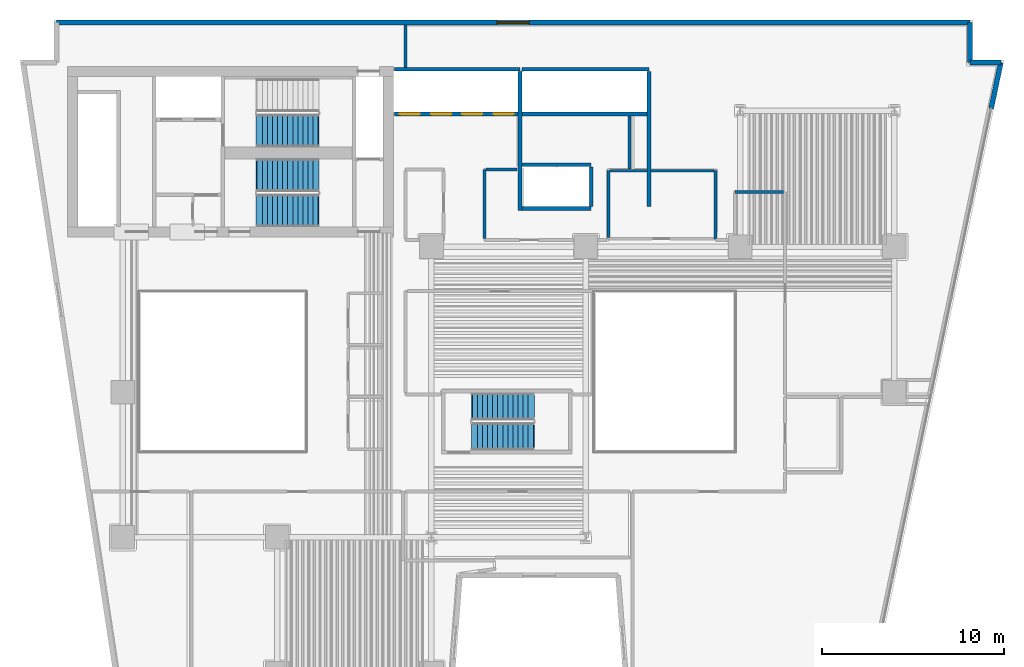
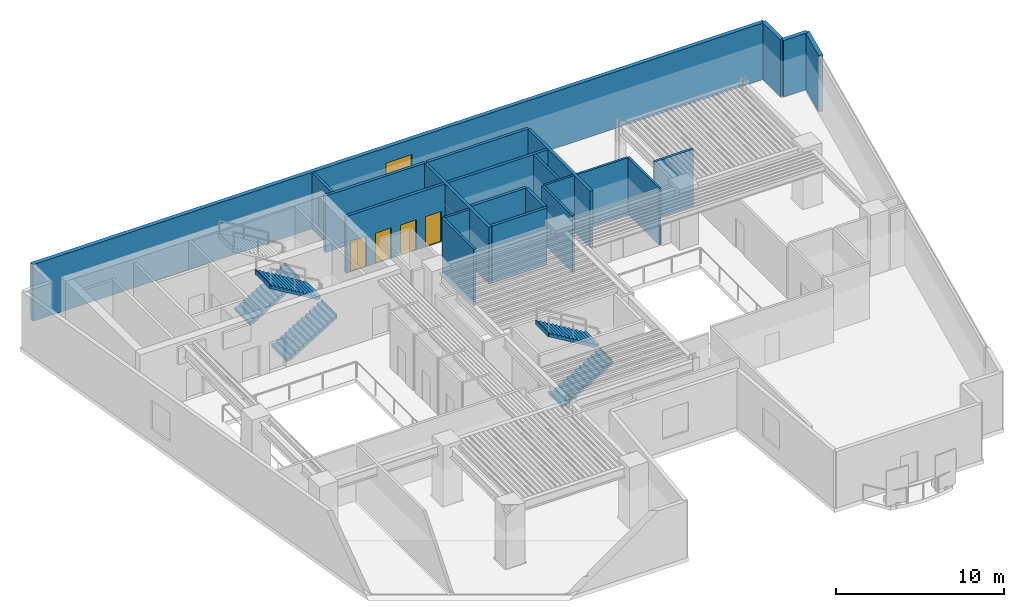
# One storey, part 6 of 12: 22 walls, 5 stair flights, 4 doors, 1 window, 5 openings, 3 elements without a shape of their own.
"""IFC4 building model written with IfcOpenShell, lengths in metres."""

from ifc_helpers import new_model, si_unit, direction, frame, frame_2d, origin, place, context, subcontext, project, spatial, polyline, rectangle, outline, extrude, material, layer, layer_set, type_object, element, fill, aggregate, save


model = new_model("IFC4")

# Units and contexts
model_context = context("Model", 3, precision=1e-05, world=origin(), true_north=direction((0.0, 1.0)))
body_context = subcontext(model_context, "Body", "Model", "MODEL_VIEW")
ifc_project = project(units=[si_unit("LENGTHUNIT", "METRE"), si_unit("AREAUNIT", "SQUARE_METRE"), si_unit("VOLUMEUNIT", "CUBIC_METRE"), si_unit("PLANEANGLEUNIT", "RADIAN"), si_unit("MASSUNIT", "GRAM", prefix="KILO")], contexts=[model_context])

# Site, building, storey
site_placement = place(None, origin())
site = spatial("IfcSite", under=ifc_project, at=site_placement, CompositionType="ELEMENT")
building_placement = place(site_placement, origin())
building = spatial("IfcBuilding", under=site, at=building_placement, Name="Caeloran Harvest Quay", CompositionType="ELEMENT")
storey_placement = place(building_placement, frame((0.0, 0.0, 93.0)))
storey = spatial("IfcBuildingStorey", under=building, at=storey_placement, Name="L21", CompositionType="ELEMENT", Elevation=93.0)

# Wall, opening, window
ifc_material_1 = material(Name="Precast concrete C50/60", Category="concrete")
ifc_layer_1 = layer(ifc_material_1, 0.280029296875, Name="Precast concrete C50/60")
ifc_layer_set_1 = layer_set([ifc_layer_1], Name="Precast concrete C50/60")
wall_type_1 = type_object("IfcWallType", Name="ENV-WALL-EW-280", PredefinedType="STANDARD", material=ifc_layer_set_1)
wall_1_placement = place(storey_placement, frame((4.840087890625, 43.360107421875, 0.0), z_axis=(0.0, 0.0, 1.0), x_axis=(1.0, 0.0, 0.0)))
wall_1 = element("IfcWall", 1, at=wall_1_placement, inside=storey, type_object=wall_type_1, Name="L21 Exterior Precast Concrete Facade Wall 6", PredefinedType="STANDARD", context=body_context, shape_type="SweptSolid", body=[
    extrude(rectangle(XDim=50.31982421875, YDim=0.280029296875, at=frame_2d((25.159912109375, 0.0))), origin(), (0.0, 0.0, 1.0), 4.114990234375),
])
opening_1_placement = place(wall_1_placement, frame((24.260009765625, 0.0, 0.89990234375)))
opening_1 = element("IfcOpeningElement", 2, at=opening_1_placement, cuts=wall_1, Name="Opening W-01", PredefinedType="OPENING", context=body_context, shape_type="SweptSolid", body=[
    extrude(rectangle(XDim=1.800048828125, YDim=2.10009765625, at=frame_2d((0.89990234375, 1.050048828125))), frame((0.0, 0.14990234375, 0.0), z_axis=(0.0, -1.0, 0.0), x_axis=(1.0, 0.0, 0.0)), (0.0, 0.0, 1.0), 0.300048828125),
])
ifc_material_2 = material(Name="Aluminium-Framed Low-E Laminated Glass", Category="aluminium")
window_type = type_object("IfcWindowType", Name="WIN-W-01", PartitioningType="SINGLE_PANEL", PredefinedType="WINDOW", material=ifc_material_2)
window_placement = place(opening_1_placement, origin())
window = element("IfcWindow", 3, at=window_placement, inside=storey, type_object=window_type, Name="L21 Facade Punched Window W-01", OverallHeight=2.10009765625, OverallWidth=1.800048828125, PartitioningType="SINGLE_PANEL", PredefinedType="WINDOW", context=body_context, shape_type="SweptSolid", body=[
    extrude(rectangle(XDim=1.800048828125, YDim=2.10009765625, at=frame_2d((0.89990234375, 1.050048828125))), frame((0.0, 0.030029296875, 0.0), z_axis=(0.0, -1.0, 0.0), x_axis=(1.0, 0.0, 0.0)), (0.0, 0.0, 1.0), 0.06005859375),
])
fill(opening_1, window)

# Walls
wall_2_placement = place(storey_placement, frame((55.159912109375, 43.360107421875, 0.0), z_axis=(0.0, 0.0, 1.0), x_axis=(0.0, -1.0, 0.0)))
element("IfcWall", 4, at=wall_2_placement, inside=storey, type_object=wall_type_1, Name="L21 Exterior Precast Concrete Facade Wall 7", PredefinedType="STANDARD", context=body_context, shape_type="SweptSolid", body=[
    extrude(rectangle(XDim=2.2001953125, YDim=0.280029296875, at=frame_2d((1.10009765625, 0.0))), origin(), (0.0, 0.0, 1.0), 4.114990234375),
])
wall_3_placement = place(storey_placement, frame((55.159912109375, 41.159912109375, 0.0), z_axis=(0.0, 0.0, 1.0), x_axis=(1.0, 0.0, 0.0)))
element("IfcWall", 5, at=wall_3_placement, inside=storey, type_object=wall_type_1, Name="L21 Exterior Precast Concrete Facade Wall 8", PredefinedType="STANDARD", context=body_context, shape_type="SweptSolid", body=[
    extrude(rectangle(XDim=1.705322265625, YDim=0.280029296875, at=frame_2d((0.8525390625, 0.0))), origin(), (0.0, 0.0, 1.0), 4.114990234375),
])
wall_4_placement = place(storey_placement, frame((56.865234375, 41.159912109375, 0.0), z_axis=(0.0, 0.0, 1.0), x_axis=(-0.205551409765, -0.978646319128, 0.0)))
element("IfcWall", 6, at=wall_4_placement, inside=storey, type_object=wall_type_1, Name="L21 Exterior Facade Corner Pier Wall 9A", PredefinedType="STANDARD", context=body_context, shape_type="SweptSolid", body=[
    extrude(rectangle(XDim=2.599853515625, YDim=0.280029296875, at=frame_2d((1.2998046875, 0.0))), origin(), (0.0, 0.0, 1.0), 4.114990234375),
])
ifc_material_3 = material(Name="Autoclaved Aerated Concrete Blockwork and Plasterboard", Category="masonry")
ifc_layer_2 = layer(ifc_material_3, 0.14990234375, Name="Autoclaved Aerated Concrete Blockwork and Plasterboard")
ifc_layer_set_2 = layer_set([ifc_layer_2], Name="Autoclaved Aerated Concrete Blockwork and Plasterboard")
wall_type_2 = type_object("IfcWallType", Name="INT-WALL-PW-150", PredefinedType="PARTITIONING", material=ifc_layer_set_2)
wall_5_placement = place(storey_placement, frame((41.14990234375, 35.199951171875, 0.0), z_axis=(0.0, 0.0, 1.0), x_axis=(0.0, -1.0, 0.0)))
element("IfcWall", 7, at=wall_5_placement, inside=storey, type_object=wall_type_2, Name="L21 Core Telemetry Control Room Partition Wall", PredefinedType="PARTITIONING", context=body_context, shape_type="SweptSolid", body=[
    extrude(rectangle(XDim=3.75, YDim=0.14990234375, at=frame_2d((1.875, 0.0))), origin(), (0.0, 0.0, 1.0), 4.114990234375),
])
wall_6_placement = place(storey_placement, frame((35.25, 31.530029296875, 0.0), z_axis=(0.0, 0.0, 1.0), x_axis=(0.0, 1.0, 0.0)))
element("IfcWall", 8, at=wall_6_placement, inside=storey, type_object=wall_type_2, Name="L21 Core Telemetry Control Room Partition Wall", PredefinedType="PARTITIONING", context=body_context, shape_type="SweptSolid", body=[
    extrude(rectangle(XDim=3.669921875, YDim=0.14990234375, at=frame_2d((1.8349609375, 0.0))), origin(), (0.0, 0.0, 1.0), 4.114990234375),
])
wall_7_placement = place(storey_placement, frame((35.330078125, 35.199951171875, 0.0), z_axis=(0.0, 0.0, 1.0), x_axis=(1.0, 0.0, 0.0)))
element("IfcWall", 9, at=wall_7_placement, inside=storey, type_object=wall_type_2, Name="L21 Core Telemetry Control Room Partition Wall", PredefinedType="PARTITIONING", context=body_context, shape_type="SweptSolid", body=[
    extrude(rectangle(XDim=2.044921875, YDim=0.14990234375, at=frame_2d((1.0224609375, 0.0))), origin(), (0.0, 0.0, 1.0), 4.114990234375),
])
wall_8_placement = place(storey_placement, frame((37.5849609375, 35.199951171875, 0.0), z_axis=(0.0, 0.0, 1.0), x_axis=(1.0, 0.0, 0.0)))
element("IfcWall", 10, at=wall_8_placement, inside=storey, type_object=wall_type_2, Name="L21 Core Telemetry Control Room Partition Wall", PredefinedType="PARTITIONING", context=body_context, shape_type="SweptSolid", body=[
    extrude(rectangle(XDim=3.485107421875, YDim=0.14990234375, at=frame_2d((1.74267578125, 0.0))), origin(), (0.0, 0.0, 1.0), 4.114990234375),
])
ifc_material_4 = material(Name="Autoclaved Aerated Concrete Blockwork", Category="masonry")
ifc_layer_3 = layer(ifc_material_4, 0.1650390625, Name="Autoclaved Aerated Concrete Blockwork")
ifc_layer_set_3 = layer_set([ifc_layer_3], Name="Autoclaved Aerated Concrete Blockwork")
wall_type_3 = type_object("IfcWallType", Name="INT-WALL-PW-165", PredefinedType="PARTITIONING", material=ifc_layer_set_3)
wall_9_placement = place(storey_placement, frame((36.419921875, 38.215087890625, 0.0), z_axis=(0.0, 0.0, 1.0), x_axis=(0.0, -1.0, 0.0)))
element("IfcWall", 11, at=wall_9_placement, inside=storey, type_object=wall_type_3, Name="Executive Agronomy Design Studio 8 Partition Wall", PredefinedType="PARTITIONING", context=body_context, shape_type="SweptSolid", body=[
    extrude(rectangle(XDim=2.93505859375, YDim=0.1650390625, at=frame_2d((1.467529296875, 0.0))), origin(), (0.0, 0.0, 1.0), 4.114990234375),
])
wall_10_placement = place(storey_placement, frame((28.429931640625, 31.467529296875, 0.0), z_axis=(0.0, 0.0, 1.0), x_axis=(0.0, 1.0, 0.0)))
element("IfcWall", 12, at=wall_10_placement, inside=storey, type_object=wall_type_3, Name="Executive Agronomy Design Studio 8 Partition Wall", PredefinedType="PARTITIONING", context=body_context, shape_type="SweptSolid", body=[
    extrude(rectangle(XDim=3.802490234375, YDim=0.1650390625, at=frame_2d((1.9013671875, 0.0))), origin(), (0.0, 0.0, 1.0), 4.114990234375),
])
wall_11_placement = place(storey_placement, frame((28.517578125, 35.27001953125, 0.0), z_axis=(0.0, 0.0, 1.0), x_axis=(1.0, 0.0, 0.0)))
element("IfcWall", 13, at=wall_11_placement, inside=storey, type_object=wall_type_3, Name="Executive Agronomy Design Studio 8 Partition Wall", PredefinedType="PARTITIONING", context=body_context, shape_type="SweptSolid", body=[
    extrude(rectangle(XDim=1.702392578125, YDim=0.1650390625, at=frame_2d((0.85107421875, 0.0))), origin(), (0.0, 0.0, 1.0), 4.114990234375),
])
wall_12_placement = place(storey_placement, frame((24.080078125, 40.885009765625, 0.0), z_axis=(0.0, 0.0, 1.0), x_axis=(0.0, 1.0, 0.0)))
element("IfcWall", 14, at=wall_12_placement, inside=storey, type_object=wall_type_3, Name="Regional Food Policy Boardroom 9 Partition Wall", PredefinedType="PARTITIONING", context=body_context, shape_type="SweptSolid", body=[
    extrude(rectangle(XDim=2.330078125, YDim=0.1650390625, at=frame_2d((1.1650390625, 0.0))), origin(), (0.0, 0.0, 1.0), 4.114990234375),
])
wall_13_placement = place(storey_placement, frame((44.892578125, 34.030029296875, 0.0), z_axis=(0.0, 0.0, 1.0), x_axis=(-1.0, 0.0, 0.0)))
element("IfcWall", 15, at=wall_13_placement, inside=storey, type_object=wall_type_3, Name="Regional Food Policy Boardroom 9 Partition Wall", PredefinedType="PARTITIONING", context=body_context, shape_type="SweptSolid", body=[
    extrude(rectangle(XDim=2.672607421875, YDim=0.1650390625, at=frame_2d((1.33642578125, 0.0))), origin(), (0.0, 0.0, 1.0), 4.114990234375),
])
ifc_material_5 = material(Name="Concrete C50/60", Category="concrete")
ifc_layer_4 = layer(ifc_material_5, 0.199951171875, Name="Concrete C50/60")
ifc_layer_set_4 = layer_set([ifc_layer_4], Name="Concrete C50/60")
wall_type_4 = type_object("IfcWallType", Name="INT-WALL-SW-200", PredefinedType="PARTITIONING", material=ifc_layer_set_4)
wall_14_placement = place(storey_placement, frame((23.469970703125, 40.780029296875, 0.0), z_axis=(0.0, 0.0, 1.0), x_axis=(1.0, 0.0, 0.0)))
element("IfcWall", 16, at=wall_14_placement, inside=storey, type_object=wall_type_4, Name="L21 Bank 1 Lift Shaft North Wall", PredefinedType="PARTITIONING", context=body_context, shape_type="SweptSolid", body=[
    extrude(rectangle(XDim=6.909912109375, YDim=0.199951171875, at=frame_2d((3.455078125, 0.0))), origin(), (0.0, 0.0, 1.0), 4.114990234375),
])
wall_15_placement = place(storey_placement, frame((30.3798828125, 33.02001953125, 0.0), z_axis=(0.0, 0.0, 1.0), x_axis=(0.0, 1.0, 0.0)))
element("IfcWall", 17, at=wall_15_placement, inside=storey, type_object=wall_type_4, Name="L21 Bank 1 Lift Shaft East Wall", PredefinedType="PARTITIONING", context=body_context, shape_type="SweptSolid", body=[
    extrude(rectangle(XDim=7.639892578125, YDim=0.199951171875, at=frame_2d((3.81982421875, 0.0))), origin(), (0.0, 0.0, 1.0), 4.114990234375),
])

# Wall, openings, doors
wall_16_placement = place(storey_placement, frame((23.469970703125, 38.320068359375, 0.0), z_axis=(0.0, 0.0, 1.0), x_axis=(1.0, 0.0, 0.0)))
wall_16 = element("IfcWall", 18, at=wall_16_placement, inside=storey, type_object=wall_type_4, Name="L21 Bank 1 Lift Landing Front Wall", PredefinedType="PARTITIONING", context=body_context, shape_type="SweptSolid", body=[
    extrude(rectangle(XDim=6.7900390625, YDim=0.199951171875, at=frame_2d((3.39501953125, 0.0))), origin(), (0.0, 0.0, 1.0), 4.114990234375),
])
opening_2_placement = place(wall_16_placement, frame((0.2900390625, 0.0, 0.0)))
opening_2 = element("IfcOpeningElement", 19, at=opening_2_placement, cuts=wall_16, Name="Opening LD-01", PredefinedType="OPENING", context=body_context, shape_type="SweptSolid", body=[
    extrude(rectangle(XDim=1.10009765625, YDim=2.199951171875, at=frame_2d((0.550048828125, 1.10009765625))), frame((0.0, 0.10986328125, 0.0), z_axis=(0.0, -1.0, 0.0), x_axis=(1.0, 0.0, 0.0)), (0.0, 0.0, 1.0), 0.219970703125),
])
opening_3_placement = place(wall_16_placement, frame((2.010009765625, 0.0, 0.0)))
opening_3 = element("IfcOpeningElement", 20, at=opening_3_placement, cuts=wall_16, Name="Opening LD-01", PredefinedType="OPENING", context=body_context, shape_type="SweptSolid", body=[
    extrude(rectangle(XDim=1.10009765625, YDim=2.199951171875, at=frame_2d((0.550048828125, 1.10009765625))), frame((0.0, 0.10986328125, 0.0), z_axis=(0.0, -1.0, 0.0), x_axis=(1.0, 0.0, 0.0)), (0.0, 0.0, 1.0), 0.219970703125),
])
opening_4_placement = place(wall_16_placement, frame((3.72998046875, 0.0, 0.0)))
opening_4 = element("IfcOpeningElement", 21, at=opening_4_placement, cuts=wall_16, Name="Opening LD-01", PredefinedType="OPENING", context=body_context, shape_type="SweptSolid", body=[
    extrude(rectangle(XDim=1.10009765625, YDim=2.199951171875, at=frame_2d((0.550048828125, 1.10009765625))), frame((0.0, 0.10986328125, 0.0), z_axis=(0.0, -1.0, 0.0), x_axis=(1.0, 0.0, 0.0)), (0.0, 0.0, 1.0), 0.219970703125),
])
opening_5_placement = place(wall_16_placement, frame((5.449951171875, 0.0, 0.0)))
opening_5 = element("IfcOpeningElement", 22, at=opening_5_placement, cuts=wall_16, Name="Opening LD-01", PredefinedType="OPENING", context=body_context, shape_type="SweptSolid", body=[
    extrude(rectangle(XDim=1.10009765625, YDim=2.199951171875, at=frame_2d((0.550048828125, 1.10009765625))), frame((0.0, 0.10986328125, 0.0), z_axis=(0.0, -1.0, 0.0), x_axis=(1.0, 0.0, 0.0)), (0.0, 0.0, 1.0), 0.219970703125),
])
ifc_material_6 = material(Name="Stainless Steel Grade 316", Category="steel")
door_type = type_object("IfcDoorType", Name="INTDOOR-LD-01", OperationType="NOTDEFINED", PredefinedType="DOOR", material=ifc_material_6)
door_1_placement = place(opening_2_placement, origin())
door_1 = element("IfcDoor", 23, at=door_1_placement, inside=storey, type_object=door_type, Name="Lift P1-1 Sliding Landing Door (L21)", OperationType="DOUBLE_DOOR_SLIDING", OverallHeight=2.199951171875, OverallWidth=1.10009765625, PredefinedType="DOOR", context=body_context, shape_type="SweptSolid", body=[
    extrude(rectangle(XDim=1.10009765625, YDim=2.199951171875, at=frame_2d((0.550048828125, 1.10009765625))), frame((0.0, 0.02490234375, 0.0), z_axis=(0.0, -1.0, 0.0), x_axis=(1.0, 0.0, 0.0)), (0.0, 0.0, 1.0), 0.050048828125),
])
fill(opening_2, door_1)
door_2_placement = place(opening_3_placement, origin())
door_2 = element("IfcDoor", 24, at=door_2_placement, inside=storey, type_object=door_type, Name="Lift P1-2 Sliding Landing Door (L21)", OperationType="DOUBLE_DOOR_SLIDING", OverallHeight=2.199951171875, OverallWidth=1.10009765625, PredefinedType="DOOR", context=body_context, shape_type="SweptSolid", body=[
    extrude(rectangle(XDim=1.10009765625, YDim=2.199951171875, at=frame_2d((0.550048828125, 1.10009765625))), frame((0.0, 0.02490234375, 0.0), z_axis=(0.0, -1.0, 0.0), x_axis=(1.0, 0.0, 0.0)), (0.0, 0.0, 1.0), 0.050048828125),
])
fill(opening_3, door_2)
door_3_placement = place(opening_4_placement, origin())
door_3 = element("IfcDoor", 25, at=door_3_placement, inside=storey, type_object=door_type, Name="Lift P1-3 Sliding Landing Door (L21)", OperationType="DOUBLE_DOOR_SLIDING", OverallHeight=2.199951171875, OverallWidth=1.10009765625, PredefinedType="DOOR", context=body_context, shape_type="SweptSolid", body=[
    extrude(rectangle(XDim=1.10009765625, YDim=2.199951171875, at=frame_2d((0.550048828125, 1.10009765625))), frame((0.0, 0.02490234375, 0.0), z_axis=(0.0, -1.0, 0.0), x_axis=(1.0, 0.0, 0.0)), (0.0, 0.0, 1.0), 0.050048828125),
])
fill(opening_4, door_3)
door_4_placement = place(opening_5_placement, origin())
door_4 = element("IfcDoor", 26, at=door_4_placement, inside=storey, type_object=door_type, Name="Lift P1-4 Sliding Landing Door (L21)", OperationType="DOUBLE_DOOR_SLIDING", OverallHeight=2.199951171875, OverallWidth=1.10009765625, PredefinedType="DOOR", context=body_context, shape_type="SweptSolid", body=[
    extrude(rectangle(XDim=1.10009765625, YDim=2.199951171875, at=frame_2d((0.550048828125, 1.10009765625))), frame((0.0, 0.02490234375, 0.0), z_axis=(0.0, -1.0, 0.0), x_axis=(1.0, 0.0, 0.0)), (0.0, 0.0, 1.0), 0.050048828125),
])
fill(opening_5, door_4)

# Walls
wall_17_placement = place(storey_placement, frame((30.5, 40.780029296875, 0.0), z_axis=(0.0, 0.0, 1.0), x_axis=(1.0, 0.0, 0.0)))
element("IfcWall", 27, at=wall_17_placement, inside=storey, type_object=wall_type_4, Name="L21 Bank 2 Lift Shaft North Wall", PredefinedType="PARTITIONING", context=body_context, shape_type="SweptSolid", body=[
    extrude(rectangle(XDim=6.97998046875, YDim=0.199951171875, at=frame_2d((3.489990234375, 0.0))), origin(), (0.0, 0.0, 1.0), 4.114990234375),
])
wall_18_placement = place(storey_placement, frame((37.47998046875, 33.239990234375, 0.0), z_axis=(0.0, 0.0, 1.0), x_axis=(0.0, 1.0, 0.0)))
element("IfcWall", 28, at=wall_18_placement, inside=storey, type_object=wall_type_4, Name="L21 Bank 2 Lift Shaft East Wall", PredefinedType="PARTITIONING", context=body_context, shape_type="SweptSolid", body=[
    extrude(rectangle(XDim=7.419921875, YDim=0.199951171875, at=frame_2d((3.7099609375, 0.0))), origin(), (0.0, 0.0, 1.0), 4.114990234375),
])
wall_19_placement = place(storey_placement, frame((30.5, 38.320068359375, 0.0), z_axis=(0.0, 0.0, 1.0), x_axis=(1.0, 0.0, 0.0)))
element("IfcWall", 29, at=wall_19_placement, inside=storey, type_object=wall_type_4, Name="L21 Bank 2 Lift Landing Front Wall", PredefinedType="PARTITIONING", context=body_context, shape_type="SweptSolid", body=[
    extrude(rectangle(XDim=6.860107421875, YDim=0.199951171875, at=frame_2d((3.43017578125, 0.0))), origin(), (0.0, 0.0, 1.0), 4.114990234375),
])
for number, where, z_axis, x_axis, name in (
    (30, (30.5, 35.530029296875, 0.0), (0.0, 0.0, 1.0), (1.0, 0.0, 0.0), "L21 Shuttle Lift Landing Front Wall"),
    (31, (30.5, 33.1201171875, 0.0), (0.0, 0.0, 1.0), (1.0, 0.0, 0.0), "L21 Shuttle Lift Shaft South Wall"),
):
    element("IfcWall", number, at=place(storey_placement, frame(where, z_axis=z_axis, x_axis=x_axis)), inside=storey, type_object=wall_type_4, Name=name, PredefinedType="PARTITIONING", context=body_context, shape_type="SweptSolid", body=[
        extrude(rectangle(XDim=3.800048828125, YDim=0.199951171875, at=frame_2d((1.89990234375, 0.0))), origin(), (0.0, 0.0, 1.0), 4.114990234375),
    ])
wall_20_placement = place(storey_placement, frame((34.300048828125, 33.239990234375, 0.0), z_axis=(0.0, 0.0, 1.0), x_axis=(0.0, 1.0, 0.0)))
element("IfcWall", 32, at=wall_20_placement, inside=storey, type_object=wall_type_4, Name="L21 Shuttle Lift Shaft East Wall", PredefinedType="PARTITIONING", context=body_context, shape_type="SweptSolid", body=[
    extrude(rectangle(XDim=2.169921875, YDim=0.199951171875, at=frame_2d((1.0849609375, 0.0))), origin(), (0.0, 0.0, 1.0), 4.114990234375),
])

# Stair, stair flight
stair_type_1 = type_object("IfcStairType", Name="STAIR-STC-180", PredefinedType="HALF_TURN_STAIR", material=ifc_material_5)
stair_1_placement = place(storey_placement, origin())
stair_1 = element("IfcStair", 33, at=stair_1_placement, inside=storey, type_object=stair_type_1, Name="L21 Core Pressurized Exit Stair ST-C1", PredefinedType="HALF_TURN_STAIR")
stair_flight_type_1 = type_object("IfcStairFlightType", Name="FLIGHT-STC-180", PredefinedType="STRAIGHT", material=ifc_material_5)
stair_flight_1_placement = place(storey_placement, frame((15.89990234375, 37.39990234375, 0.0), z_axis=(0.0, 0.0, 1.0), x_axis=(1.0, 0.0, 0.0)))
stair_flight_1 = element("IfcStairFlight", 34, at=stair_flight_1_placement, type_object=stair_flight_type_1, Name="ST-C1 flight 1", NumberOfRisers=13, NumberOfTreads=12, PredefinedType="STRAIGHT", RiserHeight=0.169230769, TreadLength=0.28, context=body_context, shape_type="SweptSolid", body=[
    extrude(outline(polyline([(-0.054931640625, -0.044921875), (-0.054931640625, -0.031494140625), (-0.054931640625, -0.018310546875), (-0.054931640625, -0.0048828125), (-0.054931640625, 0.008544921875), (-0.054931640625, 0.02197265625), (-0.054931640625, 0.035400390625), (-0.054931640625, 0.048828125), (-0.054931640625, 0.06201171875), (-0.054931640625, 0.075439453125), (-0.054931640625, 0.0888671875), (-0.054931640625, 0.102294921875), (-0.054931640625, 0.11572265625), (-0.054931640625, 0.129150390625), (-0.054931640625, 0.142333984375), (-0.054931640625, 0.15576171875), (-0.054931640625, 0.169189453125), (0.280029296875, 0.169189453125), (0.280029296875, 0.33837890625), (0.56005859375, 0.33837890625), (0.56005859375, 0.5078125), (0.840087890625, 0.5078125), (0.840087890625, 0.677001953125), (1.1201171875, 0.677001953125), (1.1201171875, 0.84619140625), (1.39990234375, 0.84619140625), (1.39990234375, 1.015380859375), (1.679931640625, 1.015380859375), (1.679931640625, 1.1845703125), (1.9599609375, 1.1845703125), (1.9599609375, 1.353759765625), (2.239990234375, 1.353759765625), (2.239990234375, 1.523193359375), (2.52001953125, 1.523193359375), (2.52001953125, 1.6923828125), (2.800048828125, 1.6923828125), (2.800048828125, 1.861572265625), (3.080078125, 1.861572265625), (3.080078125, 2.03076171875), (3.360107421875, 2.03076171875), (3.360107421875, 2.199951171875), (3.4150390625, 2.199951171875), (3.4150390625, 2.178466796875), (3.4150390625, 2.156982421875), (3.4150390625, 2.135498046875), (3.4150390625, 2.114013671875), (3.4150390625, 2.09228515625), (3.4150390625, 2.07080078125), (3.4150390625, 2.04931640625), (3.4150390625, 2.02783203125), (3.4150390625, 2.00634765625), (3.4150390625, 1.98486328125), (3.4150390625, 1.963134765625), (3.4150390625, 1.941650390625), (3.4150390625, 1.920166015625), (3.4150390625, 1.898681640625), (3.4150390625, 1.877197265625), (3.4150390625, 1.855712890625), (3.360107421875, 1.855712890625), (0.21533203125, -0.044921875), (-0.054931640625, -0.044921875)])), frame((0.0, 0.89990234375, 0.0), z_axis=(0.0, -1.0, 0.0), x_axis=(1.0, 0.0, 0.0)), (0.0, 0.0, 1.0), 1.800048828125),
])
aggregate(stair_1, [stair_flight_1])

# Stair, stair flights
stair_2_placement = place(storey_placement, origin())
stair_2 = element("IfcStair", 35, at=stair_2_placement, inside=storey, type_object=stair_type_1, Name="L21 Core Pressurized Exit Stair ST-C2", PredefinedType="HALF_TURN_STAIR")
stair_flight_2_placement = place(storey_placement, frame((15.89990234375, 33.0, 0.0), z_axis=(0.0, 0.0, 1.0), x_axis=(1.0, 0.0, 0.0)))
stair_flight_2 = element("IfcStairFlight", 36, at=stair_flight_2_placement, type_object=stair_flight_type_1, Name="ST-C2 flight 1", NumberOfRisers=13, NumberOfTreads=12, PredefinedType="STRAIGHT", RiserHeight=0.169230769, TreadLength=0.28, context=body_context, shape_type="SweptSolid", body=[
    extrude(outline(polyline([(-0.054931640625, -0.044921875), (-0.054931640625, -0.031494140625), (-0.054931640625, -0.018310546875), (-0.054931640625, -0.0048828125), (-0.054931640625, 0.008544921875), (-0.054931640625, 0.02197265625), (-0.054931640625, 0.035400390625), (-0.054931640625, 0.048828125), (-0.054931640625, 0.06201171875), (-0.054931640625, 0.075439453125), (-0.054931640625, 0.0888671875), (-0.054931640625, 0.102294921875), (-0.054931640625, 0.11572265625), (-0.054931640625, 0.129150390625), (-0.054931640625, 0.142333984375), (-0.054931640625, 0.15576171875), (-0.054931640625, 0.169189453125), (0.280029296875, 0.169189453125), (0.280029296875, 0.33837890625), (0.56005859375, 0.33837890625), (0.56005859375, 0.5078125), (0.840087890625, 0.5078125), (0.840087890625, 0.677001953125), (1.1201171875, 0.677001953125), (1.1201171875, 0.84619140625), (1.39990234375, 0.84619140625), (1.39990234375, 1.015380859375), (1.679931640625, 1.015380859375), (1.679931640625, 1.1845703125), (1.9599609375, 1.1845703125), (1.9599609375, 1.353759765625), (2.239990234375, 1.353759765625), (2.239990234375, 1.523193359375), (2.52001953125, 1.523193359375), (2.52001953125, 1.6923828125), (2.800048828125, 1.6923828125), (2.800048828125, 1.861572265625), (3.080078125, 1.861572265625), (3.080078125, 2.03076171875), (3.360107421875, 2.03076171875), (3.360107421875, 2.199951171875), (3.4150390625, 2.199951171875), (3.4150390625, 2.178466796875), (3.4150390625, 2.156982421875), (3.4150390625, 2.135498046875), (3.4150390625, 2.114013671875), (3.4150390625, 2.09228515625), (3.4150390625, 2.07080078125), (3.4150390625, 2.04931640625), (3.4150390625, 2.02783203125), (3.4150390625, 2.00634765625), (3.4150390625, 1.98486328125), (3.4150390625, 1.963134765625), (3.4150390625, 1.941650390625), (3.4150390625, 1.920166015625), (3.4150390625, 1.898681640625), (3.4150390625, 1.877197265625), (3.4150390625, 1.855712890625), (3.360107421875, 1.855712890625), (0.21533203125, -0.044921875), (-0.054931640625, -0.044921875)])), frame((0.0, 0.89990234375, 0.0), z_axis=(0.0, -1.0, 0.0), x_axis=(1.0, 0.0, 0.0)), (0.0, 0.0, 1.0), 1.800048828125),
])
stair_flight_3_placement = place(storey_placement, frame((19.260009765625, 34.949951171875, 2.199951171875), z_axis=(0.0, 0.0, 1.0), x_axis=(-1.0, 0.0, 0.0)))
stair_flight_3 = element("IfcStairFlight", 37, at=stair_flight_3_placement, type_object=stair_flight_type_1, Name="ST-C2 flight 2", NumberOfRisers=13, NumberOfTreads=12, PredefinedType="STRAIGHT", RiserHeight=0.169230769, TreadLength=0.28, context=body_context, shape_type="SweptSolid", body=[
    extrude(outline(polyline([(-0.054931640625, -0.044921875), (-0.054931640625, -0.031494140625), (-0.054931640625, -0.018310546875), (-0.054931640625, -0.0048828125), (-0.054931640625, 0.008544921875), (-0.054931640625, 0.02197265625), (-0.054931640625, 0.035400390625), (-0.054931640625, 0.048828125), (-0.054931640625, 0.06201171875), (-0.054931640625, 0.075439453125), (-0.054931640625, 0.0888671875), (-0.054931640625, 0.102294921875), (-0.054931640625, 0.11572265625), (-0.054931640625, 0.129150390625), (-0.054931640625, 0.142333984375), (-0.054931640625, 0.15576171875), (-0.054931640625, 0.169189453125), (0.280029296875, 0.169189453125), (0.280029296875, 0.33837890625), (0.56005859375, 0.33837890625), (0.56005859375, 0.5078125), (0.840087890625, 0.5078125), (0.840087890625, 0.677001953125), (1.1201171875, 0.677001953125), (1.1201171875, 0.84619140625), (1.39990234375, 0.84619140625), (1.39990234375, 1.015380859375), (1.679931640625, 1.015380859375), (1.679931640625, 1.1845703125), (1.9599609375, 1.1845703125), (1.9599609375, 1.353759765625), (2.239990234375, 1.353759765625), (2.239990234375, 1.523193359375), (2.52001953125, 1.523193359375), (2.52001953125, 1.6923828125), (2.800048828125, 1.6923828125), (2.800048828125, 1.861572265625), (3.080078125, 1.861572265625), (3.080078125, 2.03076171875), (3.360107421875, 2.03076171875), (3.360107421875, 2.199951171875), (3.4150390625, 2.199951171875), (3.4150390625, 2.178466796875), (3.4150390625, 2.156982421875), (3.4150390625, 2.135498046875), (3.4150390625, 2.114013671875), (3.4150390625, 2.09228515625), (3.4150390625, 2.07080078125), (3.4150390625, 2.04931640625), (3.4150390625, 2.02783203125), (3.4150390625, 2.00634765625), (3.4150390625, 1.98486328125), (3.4150390625, 1.963134765625), (3.4150390625, 1.941650390625), (3.4150390625, 1.920166015625), (3.4150390625, 1.898681640625), (3.4150390625, 1.877197265625), (3.4150390625, 1.855712890625), (3.360107421875, 1.855712890625), (0.21533203125, -0.044921875), (-0.054931640625, -0.044921875)])), frame((0.0, 0.89990234375, 0.0), z_axis=(0.0, -1.0, 0.0), x_axis=(1.0, 0.0, 0.0)), (0.0, 0.0, 1.0), 1.800048828125),
])
aggregate(stair_2, [stair_flight_2, stair_flight_3])

stair_type_2 = type_object("IfcStairType", Name="STAIR-STW-150", PredefinedType="HALF_TURN_STAIR", material=ifc_material_5)
stair_3_placement = place(storey_placement, origin())
stair_3 = element("IfcStair", 38, at=stair_3_placement, inside=storey, type_object=stair_type_2, Name="L21 East Wing Protected Exit Stair ST-W1", PredefinedType="HALF_TURN_STAIR")
stair_flight_type_2 = type_object("IfcStairFlightType", Name="FLIGHT-STW-150", PredefinedType="STRAIGHT", material=ifc_material_5)
stair_flight_4_placement = place(storey_placement, frame((27.75, 20.550048828125, 0.0), z_axis=(0.0, 0.0, 1.0), x_axis=(1.0, 0.0, 0.0)))
stair_flight_4 = element("IfcStairFlight", 39, at=stair_flight_4_placement, type_object=stair_flight_type_2, Name="ST-W1 flight 1", NumberOfRisers=13, NumberOfTreads=12, PredefinedType="STRAIGHT", RiserHeight=0.169230769, TreadLength=0.28, context=body_context, shape_type="SweptSolid", body=[
    extrude(outline(polyline([(-0.054931640625, -0.044921875), (-0.054931640625, -0.031494140625), (-0.054931640625, -0.018310546875), (-0.054931640625, -0.0048828125), (-0.054931640625, 0.008544921875), (-0.054931640625, 0.02197265625), (-0.054931640625, 0.035400390625), (-0.054931640625, 0.048828125), (-0.054931640625, 0.06201171875), (-0.054931640625, 0.075439453125), (-0.054931640625, 0.0888671875), (-0.054931640625, 0.102294921875), (-0.054931640625, 0.11572265625), (-0.054931640625, 0.129150390625), (-0.054931640625, 0.142333984375), (-0.054931640625, 0.15576171875), (-0.054931640625, 0.169189453125), (0.280029296875, 0.169189453125), (0.280029296875, 0.33837890625), (0.56005859375, 0.33837890625), (0.56005859375, 0.5078125), (0.840087890625, 0.5078125), (0.840087890625, 0.677001953125), (1.1201171875, 0.677001953125), (1.1201171875, 0.84619140625), (1.39990234375, 0.84619140625), (1.39990234375, 1.015380859375), (1.679931640625, 1.015380859375), (1.679931640625, 1.1845703125), (1.9599609375, 1.1845703125), (1.9599609375, 1.353759765625), (2.239990234375, 1.353759765625), (2.239990234375, 1.523193359375), (2.52001953125, 1.523193359375), (2.52001953125, 1.6923828125), (2.800048828125, 1.6923828125), (2.800048828125, 1.861572265625), (3.080078125, 1.861572265625), (3.080078125, 2.03076171875), (3.360107421875, 2.03076171875), (3.360107421875, 2.199951171875), (3.4150390625, 2.199951171875), (3.4150390625, 2.178466796875), (3.4150390625, 2.156982421875), (3.4150390625, 2.135498046875), (3.4150390625, 2.114013671875), (3.4150390625, 2.09228515625), (3.4150390625, 2.07080078125), (3.4150390625, 2.04931640625), (3.4150390625, 2.02783203125), (3.4150390625, 2.00634765625), (3.4150390625, 1.98486328125), (3.4150390625, 1.963134765625), (3.4150390625, 1.941650390625), (3.4150390625, 1.920166015625), (3.4150390625, 1.898681640625), (3.4150390625, 1.877197265625), (3.4150390625, 1.855712890625), (3.360107421875, 1.855712890625), (0.21533203125, -0.044921875), (-0.054931640625, -0.044921875)])), frame((0.0, 0.75, 0.0), z_axis=(0.0, -1.0, 0.0), x_axis=(1.0, 0.0, 0.0)), (0.0, 0.0, 1.0), 1.5),
])
stair_flight_5_placement = place(storey_placement, frame((31.110107421875, 22.199951171875, 2.199951171875), z_axis=(0.0, 0.0, 1.0), x_axis=(-1.0, 0.0, 0.0)))
stair_flight_5 = element("IfcStairFlight", 40, at=stair_flight_5_placement, type_object=stair_flight_type_2, Name="ST-W1 flight 2", NumberOfRisers=13, NumberOfTreads=12, PredefinedType="STRAIGHT", RiserHeight=0.169230769, TreadLength=0.28, context=body_context, shape_type="SweptSolid", body=[
    extrude(outline(polyline([(-0.054931640625, -0.044921875), (-0.054931640625, -0.031494140625), (-0.054931640625, -0.018310546875), (-0.054931640625, -0.0048828125), (-0.054931640625, 0.008544921875), (-0.054931640625, 0.02197265625), (-0.054931640625, 0.035400390625), (-0.054931640625, 0.048828125), (-0.054931640625, 0.06201171875), (-0.054931640625, 0.075439453125), (-0.054931640625, 0.0888671875), (-0.054931640625, 0.102294921875), (-0.054931640625, 0.11572265625), (-0.054931640625, 0.129150390625), (-0.054931640625, 0.142333984375), (-0.054931640625, 0.15576171875), (-0.054931640625, 0.169189453125), (0.280029296875, 0.169189453125), (0.280029296875, 0.33837890625), (0.56005859375, 0.33837890625), (0.56005859375, 0.5078125), (0.840087890625, 0.5078125), (0.840087890625, 0.677001953125), (1.1201171875, 0.677001953125), (1.1201171875, 0.84619140625), (1.39990234375, 0.84619140625), (1.39990234375, 1.015380859375), (1.679931640625, 1.015380859375), (1.679931640625, 1.1845703125), (1.9599609375, 1.1845703125), (1.9599609375, 1.353759765625), (2.239990234375, 1.353759765625), (2.239990234375, 1.523193359375), (2.52001953125, 1.523193359375), (2.52001953125, 1.6923828125), (2.800048828125, 1.6923828125), (2.800048828125, 1.861572265625), (3.080078125, 1.861572265625), (3.080078125, 2.03076171875), (3.360107421875, 2.03076171875), (3.360107421875, 2.199951171875), (3.4150390625, 2.199951171875), (3.4150390625, 2.178466796875), (3.4150390625, 2.156982421875), (3.4150390625, 2.135498046875), (3.4150390625, 2.114013671875), (3.4150390625, 2.09228515625), (3.4150390625, 2.07080078125), (3.4150390625, 2.04931640625), (3.4150390625, 2.02783203125), (3.4150390625, 2.00634765625), (3.4150390625, 1.98486328125), (3.4150390625, 1.963134765625), (3.4150390625, 1.941650390625), (3.4150390625, 1.920166015625), (3.4150390625, 1.898681640625), (3.4150390625, 1.877197265625), (3.4150390625, 1.855712890625), (3.360107421875, 1.855712890625), (0.21533203125, -0.044921875), (-0.054931640625, -0.044921875)])), frame((0.0, 0.75, 0.0), z_axis=(0.0, -1.0, 0.0), x_axis=(1.0, 0.0, 0.0)), (0.0, 0.0, 1.0), 1.5),
])
aggregate(stair_3, [stair_flight_4, stair_flight_5])

save(model, "model.ifc")
